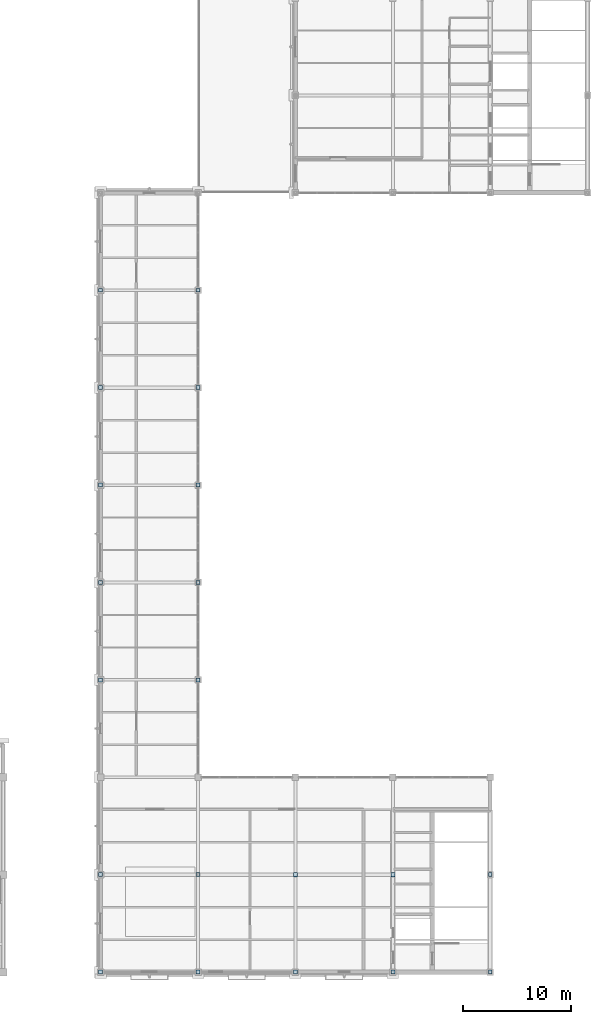
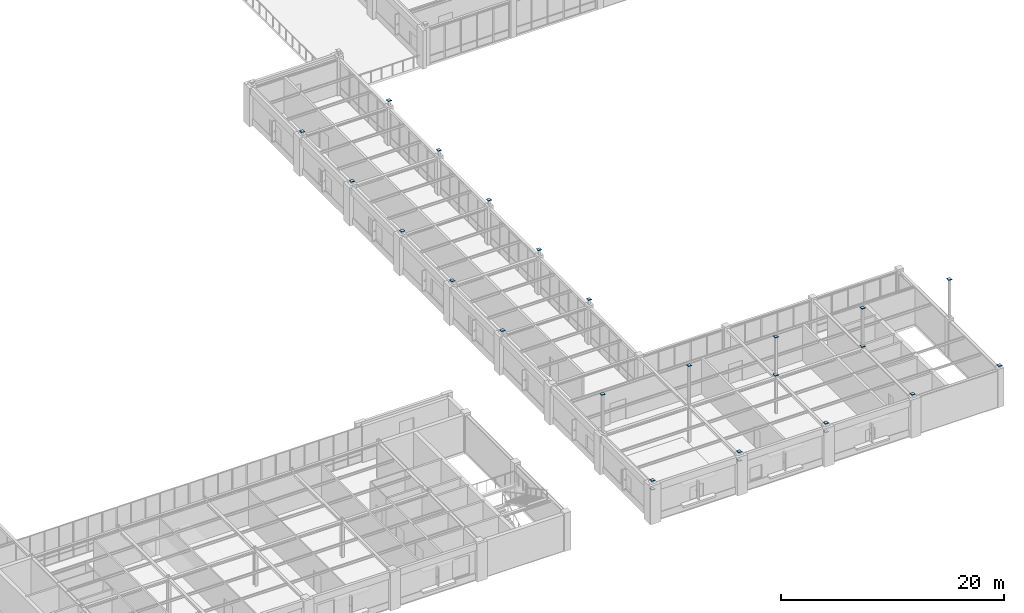
# One storey, part 78 of 97: 25 plates.
"""IFC4 building model written with IfcOpenShell, lengths in metres."""

from ifc_helpers import new_model, si_unit, direction, frame, origin, origin_2d, place, context, subcontext, project, spatial, rectangle, extrude, material, layer, layer_set, type_object, element, save


model = new_model("IFC4")

# Units and contexts
model_context = context("Model", 3, precision=1e-05, world=origin(), true_north=direction((0.0, 1.0)))
body_context = subcontext(model_context, "Body", "Model", "MODEL_VIEW")
ifc_project = project(units=[si_unit("LENGTHUNIT", "METRE"), si_unit("AREAUNIT", "SQUARE_METRE"), si_unit("VOLUMEUNIT", "CUBIC_METRE"), si_unit("PLANEANGLEUNIT", "RADIAN"), si_unit("MASSUNIT", "GRAM", prefix="KILO")], contexts=[model_context])

# Site, building, storey
site_placement = place(None, origin())
site = spatial("IfcSite", under=ifc_project, at=site_placement, CompositionType="ELEMENT")
building_placement = place(site_placement, origin())
building = spatial("IfcBuilding", under=site, at=building_placement, Name="Lykobir Media Centre", CompositionType="ELEMENT")
storey_placement = place(building_placement, frame((0.0, 0.0, 23.39990234375)))
storey = spatial("IfcBuildingStorey", under=building, at=storey_placement, Name="L05", CompositionType="ELEMENT", Elevation=23.39990234375)

# Plates
ifc_material = material(Name="Steel S355", Category="steel")
ifc_layer_1 = layer(ifc_material, 0.02001953125, Name="Steel S355")
ifc_layer_set_1 = layer_set([ifc_layer_1], Name="Steel S355")
plate_type_1 = type_object("IfcPlateType", Name="CP-320", PredefinedType="SHEET", material=ifc_layer_set_1)
for number, where, z_axis, x_axis, name in (
    (1, (90.0, 0.0, 4.38916015625), (0.0, 0.0, 1.0), (1.0, 0.0, 0.0), "Structural plate PLT-L05-0900-0000-0278"),
    (2, (90.0, 9.0, 8.3837890625), (0.0, 0.0, 1.0), (1.0, 0.0, 0.0), "Structural plate PLT-L05-0900-0090-0318"),
    (3, (99.0, 0.0, 4.38916015625), (0.0, 0.0, 1.0), (1.0, 0.0, 0.0), "Structural plate PLT-L05-0990-0000-0278"),
    (4, (99.0, 9.0, 8.3837890625), (0.0, 0.0, 1.0), (1.0, 0.0, 0.0), "Structural plate PLT-L05-0990-0090-0318"),
    (5, (108.0, 0.0, 4.38916015625), (0.0, 0.0, 1.0), (1.0, 0.0, 0.0), "Structural plate PLT-L05-1080-0000-0278"),
    (6, (108.0, 9.0, 8.3837890625), (0.0, 0.0, 1.0), (1.0, 0.0, 0.0), "Structural plate PLT-L05-1080-0090-0318"),
    (7, (117.0, 0.0, 4.38916015625), (0.0, 0.0, 1.0), (1.0, 0.0, 0.0), "Structural plate PLT-L05-1170-0000-0278"),
    (8, (117.0, 9.0, 8.3837890625), (0.0, 0.0, 1.0), (1.0, 0.0, 0.0), "Structural plate PLT-L05-1170-0090-0318"),
    (9, (126.0, 0.0, 4.38916015625), (0.0, 0.0, 1.0), (1.0, 0.0, 0.0), "Structural plate PLT-L05-1260-0000-0278"),
    (10, (126.0, 9.0, 8.3837890625), (0.0, 0.0, 1.0), (1.0, 0.0, 0.0), "Structural plate PLT-L05-1260-0090-0318"),
    (11, (90.0, 27.0, 4.46533203125), (0.0, 0.0, 1.0), (1.0, 0.0, 0.0), "Structural plate PLT-L05-0900-0270-0279"),
    (12, (90.0, 36.0, 4.46533203125), (0.0, 0.0, 1.0), (1.0, 0.0, 0.0), "Structural plate PLT-L05-0900-0360-0279"),
    (13, (90.0, 45.0, 4.46533203125), (0.0, 0.0, 1.0), (1.0, 0.0, 0.0), "Structural plate PLT-L05-0900-0450-0279"),
    (14, (90.0, 54.0, 4.46533203125), (0.0, 0.0, 1.0), (1.0, 0.0, 0.0), "Structural plate PLT-L05-0900-0540-0279"),
    (15, (90.0, 63.0, 4.46533203125), (0.0, 0.0, 1.0), (1.0, 0.0, 0.0), "Structural plate PLT-L05-0900-0630-0279"),
    (16, (99.0, 27.0, 4.72021484375), (0.0, 0.0, 1.0), (1.0, 0.0, 0.0), "Structural plate PLT-L05-0990-0270-0281"),
    (17, (99.0, 36.0, 4.72021484375), (0.0, 0.0, 1.0), (1.0, 0.0, 0.0), "Structural plate PLT-L05-0990-0360-0281"),
    (18, (99.0, 45.0, 4.72021484375), (0.0, 0.0, 1.0), (1.0, 0.0, 0.0), "Structural plate PLT-L05-0990-0450-0281"),
    (19, (99.0, 54.0, 4.72021484375), (0.0, 0.0, 1.0), (1.0, 0.0, 0.0), "Structural plate PLT-L05-0990-0540-0281"),
    (20, (99.0, 63.0, 4.72021484375), (0.0, 0.0, 1.0), (1.0, 0.0, 0.0), "Structural plate PLT-L05-0990-0630-0281"),
    (21, (90.0, 0.0, 3.440185546875), (0.0, 0.0, 1.0), (1.0, 0.0, 0.0), "Structural plate PLT-L05-0900-0000-0268"),
    (22, (99.0, 0.0, 3.440185546875), (0.0, 0.0, 1.0), (1.0, 0.0, 0.0), "Structural plate PLT-L05-0990-0000-0268"),
    (23, (108.0, 0.0, 3.440185546875), (0.0, 0.0, 1.0), (1.0, 0.0, 0.0), "Structural plate PLT-L05-1080-0000-0268"),
):
    element("IfcPlate", number, at=place(storey_placement, frame(where, z_axis=z_axis, x_axis=x_axis)), inside=storey, type_object=plate_type_1, Name=name, PredefinedType="SHEET", context=body_context, shape_type="SweptSolid", body=[
        extrude(rectangle(XDim=0.360107421875, YDim=0.360107421875, at=origin_2d()), origin(), (0.0, 0.0, 1.0), 0.02001953125),
    ])
ifc_layer_2 = layer(ifc_material, 0.02197265625, Name="Steel S355")
ifc_layer_set_2 = layer_set([ifc_layer_2], Name="Steel S355")
plate_type_2 = type_object("IfcPlateType", Name="CP-360", PredefinedType="SHEET", material=ifc_layer_set_2)
for number, where, z_axis, x_axis, name in (
    (24, (108.0, 9.0, 4.2001953125), (0.0, 0.0, 1.0), (1.0, 0.0, 0.0), "Structural plate PLT-L05-1080-0090-0276"),
    (25, (117.0, 9.0, 4.2001953125), (0.0, 0.0, 1.0), (1.0, 0.0, 0.0), "Structural plate PLT-L05-1170-0090-0276"),
):
    element("IfcPlate", number, at=place(storey_placement, frame(where, z_axis=z_axis, x_axis=x_axis)), inside=storey, type_object=plate_type_2, Name=name, PredefinedType="SHEET", context=body_context, shape_type="SweptSolid", body=[
        extrude(rectangle(XDim=0.3798828125, YDim=0.3798828125, at=origin_2d()), origin(), (0.0, 0.0, 1.0), 0.02197265625),
    ])

save(model, "model.ifc")
